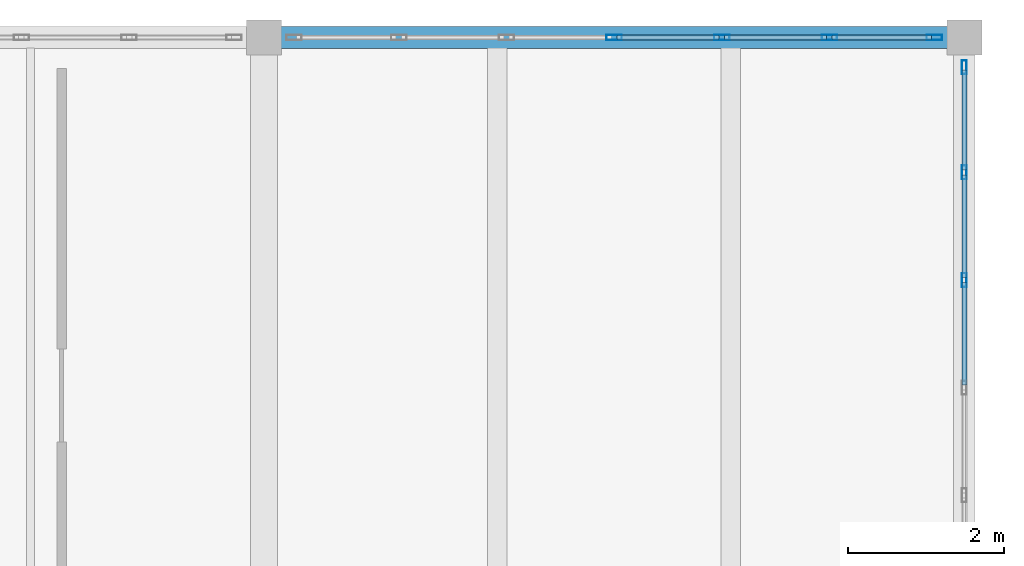
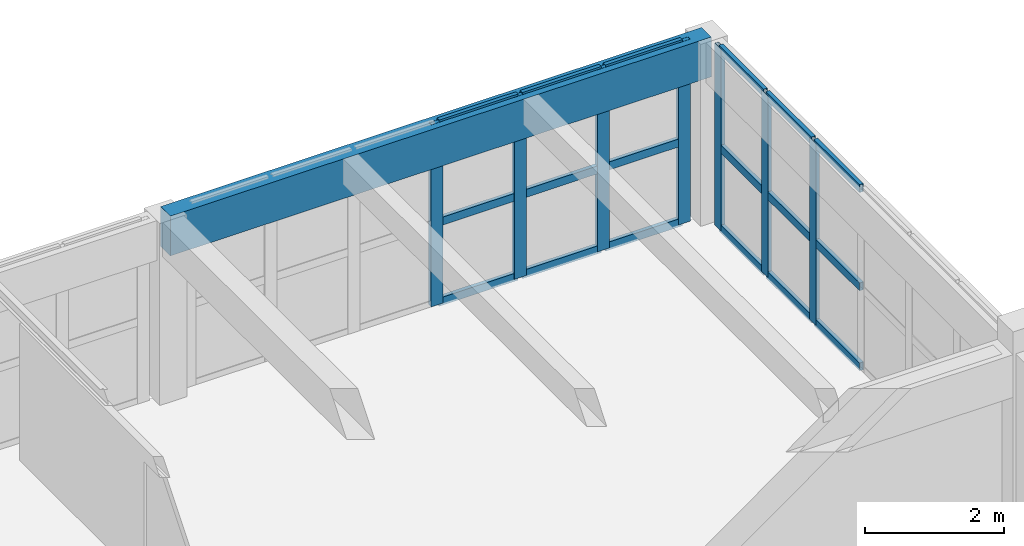
# One storey, part 54 of 80: 25 members, 1 beam, 2 elements without a shape of their own.
"""IFC4 building model written with IfcOpenShell, lengths in metres."""

from ifc_helpers import new_model, si_unit, direction, frame, origin, origin_2d, place, context, subcontext, project, spatial, rectangle, hollow_rectangle, extrude, material, layer, layer_set, material_profile, profile_set, type_object, element, aggregate, save


model = new_model("IFC4")

# Units and contexts
model_context = context("Model", 3, precision=1e-05, world=origin(), true_north=direction((0.0, 1.0)))
body_context = subcontext(model_context, "Body", "Model", "MODEL_VIEW")
ifc_project = project(units=[si_unit("LENGTHUNIT", "METRE"), si_unit("AREAUNIT", "SQUARE_METRE"), si_unit("VOLUMEUNIT", "CUBIC_METRE"), si_unit("PLANEANGLEUNIT", "RADIAN"), si_unit("MASSUNIT", "GRAM", prefix="KILO")], contexts=[model_context])

# Site, building, storey
site_placement = place(None, origin())
site = spatial("IfcSite", under=ifc_project, at=site_placement, CompositionType="ELEMENT")
building_placement = place(site_placement, origin())
building = spatial("IfcBuilding", under=site, at=building_placement, Name="Ornek Quay Market", CompositionType="ELEMENT")
storey_placement = place(building_placement, frame((0.0, 0.0, 8.39990234375)))
storey = spatial("IfcBuildingStorey", under=building, at=storey_placement, Name="L02", CompositionType="ELEMENT", Elevation=8.39990234375)

# Beam
ifc_material_1 = material(Name="Concrete C35/45", Category="concrete")
ifc_material_profile_1 = material_profile(ifc_material_1, rectangle(XDim=0.280029296875, YDim=0.699951171875, at=origin_2d()), Name="RC 280x700", Category="concrete")
ifc_profile_set_1 = profile_set([ifc_material_profile_1], Name="Concrete C35/45")
beam_type = type_object("IfcBeamType", Name="BM-SPN-280x700", PredefinedType="SPANDREL", material=ifc_profile_set_1)
beam_placement = place(storey_placement, frame((171.0, 110.0, 2.85009765625), z_axis=(1.0, 0.0, 0.0), x_axis=(0.0, 1.0, 0.0)))
element("IfcBeam", 1, at=beam_placement, inside=storey, type_object=beam_type, Name="Primary beam B-SP2-092", PredefinedType="SPANDREL", context=body_context, shape_type="SweptSolid", body=[
    extrude(rectangle(XDim=0.280029296875, YDim=0.699951171875, at=origin_2d()), origin(), (0.0, 0.0, 1.0), 9.0),
])

# Curtain wall, members
ifc_material_2 = material(Name="Anodised bronze aluminium and triple low-e glass", Category="aluminium")
ifc_layer = layer(ifc_material_2, 0.18994140625, Name="Anodised bronze aluminium and triple low-e glass", Category="aluminium")
ifc_layer_set = layer_set([ifc_layer], Name="Anodised bronze aluminium and triple low-e glass")
curtain_wall_type = type_object("IfcCurtainWallType", Name="CW-FC-MOD1500", PredefinedType="USERDEFINED", material=ifc_layer_set)
curtain_wall_1_placement = place(storey_placement, origin())
curtain_wall_1 = element("IfcCurtainWall", 2, at=curtain_wall_1_placement, inside=storey, type_object=curtain_wall_type, Name="Curtain wall CW-092", ObjectType="CURTAIN WALL", PredefinedType="USERDEFINED")
ifc_material_3 = material(Name="Anodised aluminium 6063-T6", Category="aluminium")
ifc_material_profile_2 = material_profile(ifc_material_3, hollow_rectangle(XDim=0.06494140625, YDim=0.179931640625, WallThickness=0.00439453125, at=origin_2d()), Name="CW-MUL-65x180", Category="aluminium")
ifc_profile_set_2 = profile_set([ifc_material_profile_2], Name="Anodised aluminium 6063-T6")
member_type_1 = type_object("IfcMemberType", Name="CW-MUL-65x180", PredefinedType="MULLION", material=ifc_profile_set_2)
member_1_placement = place(storey_placement, frame((180.0, 106.88330078125, 0.0), z_axis=(0.0, 0.0, 1.0), x_axis=(-1.0, 0.0, 0.0)))
member_1 = element("IfcMember", 3, at=member_1_placement, type_object=member_type_1, Name="CW-092 mullion 5", PredefinedType="MULLION", context=body_context, shape_type="SweptSolid", body=[
    extrude(hollow_rectangle(XDim=0.06494140625, YDim=0.179931640625, WallThickness=0.00439453125, at=origin_2d()), origin(), (0.0, 0.0, 1.0), 3.2001953125),
])
member_2_placement = place(storey_placement, frame((180.0, 108.2666015625, 0.0), z_axis=(0.0, 0.0, 1.0), x_axis=(-1.0, 0.0, 0.0)))
member_2 = element("IfcMember", 4, at=member_2_placement, type_object=member_type_1, Name="CW-092 mullion 6", PredefinedType="MULLION", context=body_context, shape_type="SweptSolid", body=[
    extrude(hollow_rectangle(XDim=0.06494140625, YDim=0.179931640625, WallThickness=0.00439453125, at=origin_2d()), origin(), (0.0, 0.0, 1.0), 3.2001953125),
])
member_3_placement = place(storey_placement, frame((180.0, 109.617431640625, 0.0), z_axis=(0.0, 0.0, 1.0), x_axis=(-1.0, 0.0, 0.0)))
member_3 = element("IfcMember", 5, at=member_3_placement, type_object=member_type_1, Name="CW-092 mullion 7", PredefinedType="MULLION", context=body_context, shape_type="SweptSolid", body=[
    extrude(hollow_rectangle(XDim=0.06494140625, YDim=0.179931640625, WallThickness=0.00439453125, at=origin_2d()), origin(), (0.0, 0.0, 1.0), 3.2001953125),
])

curtain_wall_2_placement = place(storey_placement, origin())
curtain_wall_2 = element("IfcCurtainWall", 6, at=curtain_wall_2_placement, inside=storey, type_object=curtain_wall_type, Name="Curtain wall CW-090", ObjectType="CURTAIN WALL", PredefinedType="USERDEFINED")
ifc_material_profile_3 = material_profile(ifc_material_3, hollow_rectangle(XDim=0.070068359375, YDim=0.199951171875, WallThickness=0.0048828125, at=origin_2d()), Name="CW-MUL-70x200", Category="aluminium")
ifc_profile_set_3 = profile_set([ifc_material_profile_3], Name="Anodised aluminium 6063-T6")
member_type_2 = type_object("IfcMemberType", Name="CW-MUL-70x200", PredefinedType="MULLION", material=ifc_profile_set_3)
member_4_placement = place(storey_placement, frame((175.5, 110.0, 0.0), z_axis=(0.0, 0.0, 1.0), x_axis=(0.0, 1.0, 0.0)))
member_4 = element("IfcMember", 7, at=member_4_placement, type_object=member_type_2, Name="CW-090 mullion 4", PredefinedType="MULLION", context=body_context, shape_type="SweptSolid", body=[
    extrude(hollow_rectangle(XDim=0.070068359375, YDim=0.199951171875, WallThickness=0.0048828125, at=origin_2d()), origin(), (0.0, 0.0, 1.0), 3.2001953125),
])
member_5_placement = place(storey_placement, frame((176.88330078125, 110.0, 0.0), z_axis=(0.0, 0.0, 1.0), x_axis=(0.0, 1.0, 0.0)))
member_5 = element("IfcMember", 8, at=member_5_placement, type_object=member_type_2, Name="CW-090 mullion 5", PredefinedType="MULLION", context=body_context, shape_type="SweptSolid", body=[
    extrude(hollow_rectangle(XDim=0.070068359375, YDim=0.199951171875, WallThickness=0.0048828125, at=origin_2d()), origin(), (0.0, 0.0, 1.0), 3.2001953125),
])
member_6_placement = place(storey_placement, frame((178.2666015625, 110.0, 0.0), z_axis=(0.0, 0.0, 1.0), x_axis=(0.0, 1.0, 0.0)))
member_6 = element("IfcMember", 9, at=member_6_placement, type_object=member_type_2, Name="CW-090 mullion 6", PredefinedType="MULLION", context=body_context, shape_type="SweptSolid", body=[
    extrude(hollow_rectangle(XDim=0.070068359375, YDim=0.199951171875, WallThickness=0.0048828125, at=origin_2d()), origin(), (0.0, 0.0, 1.0), 3.2001953125),
])
member_7_placement = place(storey_placement, frame((179.614990234375, 110.0, 0.0), z_axis=(0.0, 0.0, 1.0), x_axis=(0.0, 1.0, 0.0)))
member_7 = element("IfcMember", 10, at=member_7_placement, type_object=member_type_2, Name="CW-090 mullion 7", PredefinedType="MULLION", context=body_context, shape_type="SweptSolid", body=[
    extrude(hollow_rectangle(XDim=0.070068359375, YDim=0.199951171875, WallThickness=0.0048828125, at=origin_2d()), origin(), (0.0, 0.0, 1.0), 3.2001953125),
])
ifc_material_profile_4 = material_profile(ifc_material_3, hollow_rectangle(XDim=0.06494140625, YDim=0.139892578125, WallThickness=0.00439453125, at=origin_2d()), Name="CW-TRN-65x140", Category="aluminium")
ifc_profile_set_4 = profile_set([ifc_material_profile_4], Name="Anodised aluminium 6063-T6")
member_type_3 = type_object("IfcMemberType", Name="CW-TRN-65x140", PredefinedType="USERDEFINED", material=ifc_profile_set_4)
member_8_placement = place(storey_placement, frame((175.534912109375, 110.0, 0.03271484375), z_axis=(1.0, 0.0, 0.0), x_axis=(0.0, 1.0, 0.0)))
member_8 = element("IfcMember", 11, at=member_8_placement, type_object=member_type_3, Name="CW-090 transom 4.1", ObjectType="TRANSOM", PredefinedType="USERDEFINED", context=body_context, shape_type="SweptSolid", body=[
    extrude(hollow_rectangle(XDim=0.06494140625, YDim=0.139892578125, WallThickness=0.00439453125, at=origin_2d()), origin(), (0.0, 0.0, 1.0), 1.3134765625),
])
member_9_placement = place(storey_placement, frame((175.534912109375, 110.0, 1.440185546875), z_axis=(1.0, 0.0, 0.0), x_axis=(0.0, 1.0, 0.0)))
member_9 = element("IfcMember", 12, at=member_9_placement, type_object=member_type_3, Name="CW-090 transom 4.2", ObjectType="TRANSOM", PredefinedType="USERDEFINED", context=body_context, shape_type="SweptSolid", body=[
    extrude(hollow_rectangle(XDim=0.06494140625, YDim=0.139892578125, WallThickness=0.00439453125, at=origin_2d()), origin(), (0.0, 0.0, 1.0), 1.3134765625),
])
member_10_placement = place(storey_placement, frame((175.534912109375, 110.0, 3.16748046875), z_axis=(1.0, 0.0, 0.0), x_axis=(0.0, 1.0, 0.0)))
member_10 = element("IfcMember", 13, at=member_10_placement, type_object=member_type_3, Name="CW-090 transom 4.3", ObjectType="TRANSOM", PredefinedType="USERDEFINED", context=body_context, shape_type="SweptSolid", body=[
    extrude(hollow_rectangle(XDim=0.06494140625, YDim=0.139892578125, WallThickness=0.00439453125, at=origin_2d()), origin(), (0.0, 0.0, 1.0), 1.3134765625),
])
member_11_placement = place(storey_placement, frame((176.918212890625, 110.0, 0.03271484375), z_axis=(1.0, 0.0, 0.0), x_axis=(0.0, 1.0, 0.0)))
member_11 = element("IfcMember", 14, at=member_11_placement, type_object=member_type_3, Name="CW-090 transom 5.1", ObjectType="TRANSOM", PredefinedType="USERDEFINED", context=body_context, shape_type="SweptSolid", body=[
    extrude(hollow_rectangle(XDim=0.06494140625, YDim=0.139892578125, WallThickness=0.00439453125, at=origin_2d()), origin(), (0.0, 0.0, 1.0), 1.3134765625),
])
member_12_placement = place(storey_placement, frame((176.918212890625, 110.0, 1.440185546875), z_axis=(1.0, 0.0, 0.0), x_axis=(0.0, 1.0, 0.0)))
member_12 = element("IfcMember", 15, at=member_12_placement, type_object=member_type_3, Name="CW-090 transom 5.2", ObjectType="TRANSOM", PredefinedType="USERDEFINED", context=body_context, shape_type="SweptSolid", body=[
    extrude(hollow_rectangle(XDim=0.06494140625, YDim=0.139892578125, WallThickness=0.00439453125, at=origin_2d()), origin(), (0.0, 0.0, 1.0), 1.3134765625),
])
member_13_placement = place(storey_placement, frame((176.918212890625, 110.0, 3.16748046875), z_axis=(1.0, 0.0, 0.0), x_axis=(0.0, 1.0, 0.0)))
member_13 = element("IfcMember", 16, at=member_13_placement, type_object=member_type_3, Name="CW-090 transom 5.3", ObjectType="TRANSOM", PredefinedType="USERDEFINED", context=body_context, shape_type="SweptSolid", body=[
    extrude(hollow_rectangle(XDim=0.06494140625, YDim=0.139892578125, WallThickness=0.00439453125, at=origin_2d()), origin(), (0.0, 0.0, 1.0), 1.3134765625),
])
member_14_placement = place(storey_placement, frame((178.3017578125, 110.0, 0.03271484375), z_axis=(1.0, 0.0, 0.0), x_axis=(0.0, 1.0, 0.0)))
member_14 = element("IfcMember", 17, at=member_14_placement, type_object=member_type_3, Name="CW-090 transom 6.1", ObjectType="TRANSOM", PredefinedType="USERDEFINED", context=body_context, shape_type="SweptSolid", body=[
    extrude(hollow_rectangle(XDim=0.06494140625, YDim=0.139892578125, WallThickness=0.00439453125, at=origin_2d()), origin(), (0.0, 0.0, 1.0), 1.2783203125),
])
member_15_placement = place(storey_placement, frame((178.3017578125, 110.0, 1.440185546875), z_axis=(1.0, 0.0, 0.0), x_axis=(0.0, 1.0, 0.0)))
member_15 = element("IfcMember", 18, at=member_15_placement, type_object=member_type_3, Name="CW-090 transom 6.2", ObjectType="TRANSOM", PredefinedType="USERDEFINED", context=body_context, shape_type="SweptSolid", body=[
    extrude(hollow_rectangle(XDim=0.06494140625, YDim=0.139892578125, WallThickness=0.00439453125, at=origin_2d()), origin(), (0.0, 0.0, 1.0), 1.2783203125),
])
member_16_placement = place(storey_placement, frame((178.3017578125, 110.0, 3.16748046875), z_axis=(1.0, 0.0, 0.0), x_axis=(0.0, 1.0, 0.0)))
member_16 = element("IfcMember", 19, at=member_16_placement, type_object=member_type_3, Name="CW-090 transom 6.3", ObjectType="TRANSOM", PredefinedType="USERDEFINED", context=body_context, shape_type="SweptSolid", body=[
    extrude(hollow_rectangle(XDim=0.06494140625, YDim=0.139892578125, WallThickness=0.00439453125, at=origin_2d()), origin(), (0.0, 0.0, 1.0), 1.2783203125),
])
aggregate(curtain_wall_2, [member_4, member_5, member_6, member_7, member_8, member_9, member_10, member_11, member_12, member_13, member_14, member_15, member_16])

# Member
member_17_placement = place(storey_placement, frame((180.0, 105.532470703125, 0.03271484375), z_axis=(0.0, 1.0, 0.0), x_axis=(-1.0, 0.0, 0.0)))
member_17 = element("IfcMember", 20, at=member_17_placement, type_object=member_type_3, Name="CW-092 transom 4.1", ObjectType="TRANSOM", PredefinedType="USERDEFINED", context=body_context, shape_type="SweptSolid", body=[
    extrude(hollow_rectangle(XDim=0.06494140625, YDim=0.139892578125, WallThickness=0.00439453125, at=origin_2d()), origin(), (0.0, 0.0, 1.0), 1.318359375),
])

member_18_placement = place(storey_placement, frame((180.0, 105.532470703125, 1.440185546875), z_axis=(0.0, 1.0, 0.0), x_axis=(-1.0, 0.0, 0.0)))
member_18 = element("IfcMember", 21, at=member_18_placement, type_object=member_type_3, Name="CW-092 transom 4.2", ObjectType="TRANSOM", PredefinedType="USERDEFINED", context=body_context, shape_type="SweptSolid", body=[
    extrude(hollow_rectangle(XDim=0.06494140625, YDim=0.139892578125, WallThickness=0.00439453125, at=origin_2d()), origin(), (0.0, 0.0, 1.0), 1.318359375),
])

member_19_placement = place(storey_placement, frame((180.0, 105.532470703125, 3.16748046875), z_axis=(0.0, 1.0, 0.0), x_axis=(-1.0, 0.0, 0.0)))
member_19 = element("IfcMember", 22, at=member_19_placement, type_object=member_type_3, Name="CW-092 transom 4.3", ObjectType="TRANSOM", PredefinedType="USERDEFINED", context=body_context, shape_type="SweptSolid", body=[
    extrude(hollow_rectangle(XDim=0.06494140625, YDim=0.139892578125, WallThickness=0.00439453125, at=origin_2d()), origin(), (0.0, 0.0, 1.0), 1.318359375),
])

member_20_placement = place(storey_placement, frame((180.0, 106.915771484375, 0.03271484375), z_axis=(0.0, 1.0, 0.0), x_axis=(-1.0, 0.0, 0.0)))
member_20 = element("IfcMember", 23, at=member_20_placement, type_object=member_type_3, Name="CW-092 transom 5.1", ObjectType="TRANSOM", PredefinedType="USERDEFINED", context=body_context, shape_type="SweptSolid", body=[
    extrude(hollow_rectangle(XDim=0.06494140625, YDim=0.139892578125, WallThickness=0.00439453125, at=origin_2d()), origin(), (0.0, 0.0, 1.0), 1.318359375),
])

member_21_placement = place(storey_placement, frame((180.0, 106.915771484375, 1.440185546875), z_axis=(0.0, 1.0, 0.0), x_axis=(-1.0, 0.0, 0.0)))
member_21 = element("IfcMember", 24, at=member_21_placement, type_object=member_type_3, Name="CW-092 transom 5.2", ObjectType="TRANSOM", PredefinedType="USERDEFINED", context=body_context, shape_type="SweptSolid", body=[
    extrude(hollow_rectangle(XDim=0.06494140625, YDim=0.139892578125, WallThickness=0.00439453125, at=origin_2d()), origin(), (0.0, 0.0, 1.0), 1.318359375),
])

member_22_placement = place(storey_placement, frame((180.0, 106.915771484375, 3.16748046875), z_axis=(0.0, 1.0, 0.0), x_axis=(-1.0, 0.0, 0.0)))
member_22 = element("IfcMember", 25, at=member_22_placement, type_object=member_type_3, Name="CW-092 transom 5.3", ObjectType="TRANSOM", PredefinedType="USERDEFINED", context=body_context, shape_type="SweptSolid", body=[
    extrude(hollow_rectangle(XDim=0.06494140625, YDim=0.139892578125, WallThickness=0.00439453125, at=origin_2d()), origin(), (0.0, 0.0, 1.0), 1.318359375),
])

member_23_placement = place(storey_placement, frame((180.0, 108.299072265625, 0.03271484375), z_axis=(0.0, 1.0, 0.0), x_axis=(-1.0, 0.0, 0.0)))
member_23 = element("IfcMember", 26, at=member_23_placement, type_object=member_type_3, Name="CW-092 transom 6.1", ObjectType="TRANSOM", PredefinedType="USERDEFINED", context=body_context, shape_type="SweptSolid", body=[
    extrude(hollow_rectangle(XDim=0.06494140625, YDim=0.139892578125, WallThickness=0.00439453125, at=origin_2d()), origin(), (0.0, 0.0, 1.0), 1.285888671875),
])

member_24_placement = place(storey_placement, frame((180.0, 108.299072265625, 1.440185546875), z_axis=(0.0, 1.0, 0.0), x_axis=(-1.0, 0.0, 0.0)))
member_24 = element("IfcMember", 27, at=member_24_placement, type_object=member_type_3, Name="CW-092 transom 6.2", ObjectType="TRANSOM", PredefinedType="USERDEFINED", context=body_context, shape_type="SweptSolid", body=[
    extrude(hollow_rectangle(XDim=0.06494140625, YDim=0.139892578125, WallThickness=0.00439453125, at=origin_2d()), origin(), (0.0, 0.0, 1.0), 1.285888671875),
])

member_25_placement = place(storey_placement, frame((180.0, 108.299072265625, 3.16748046875), z_axis=(0.0, 1.0, 0.0), x_axis=(-1.0, 0.0, 0.0)))
member_25 = element("IfcMember", 28, at=member_25_placement, type_object=member_type_3, Name="CW-092 transom 6.3", ObjectType="TRANSOM", PredefinedType="USERDEFINED", context=body_context, shape_type="SweptSolid", body=[
    extrude(hollow_rectangle(XDim=0.06494140625, YDim=0.139892578125, WallThickness=0.00439453125, at=origin_2d()), origin(), (0.0, 0.0, 1.0), 1.285888671875),
])

aggregate(curtain_wall_1, [member_1, member_2, member_3, member_17, member_18, member_19, member_20, member_21, member_22, member_23, member_24, member_25])

save(model, "model.ifc")
